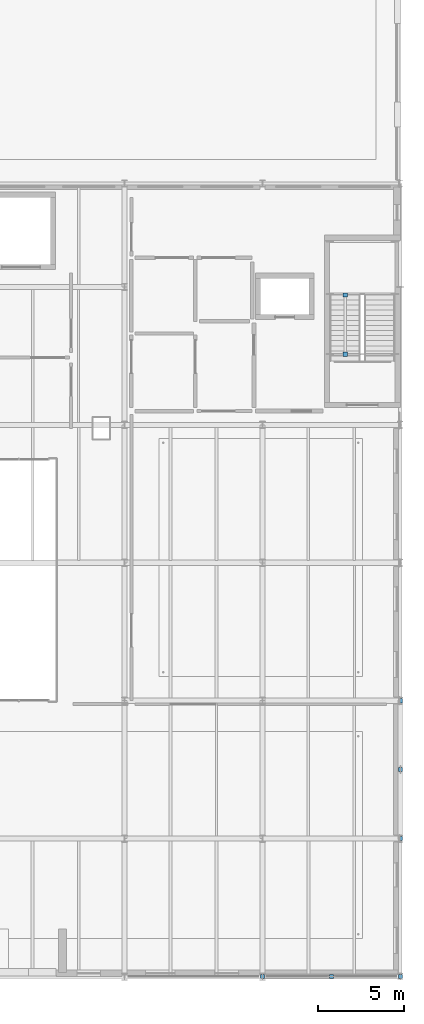
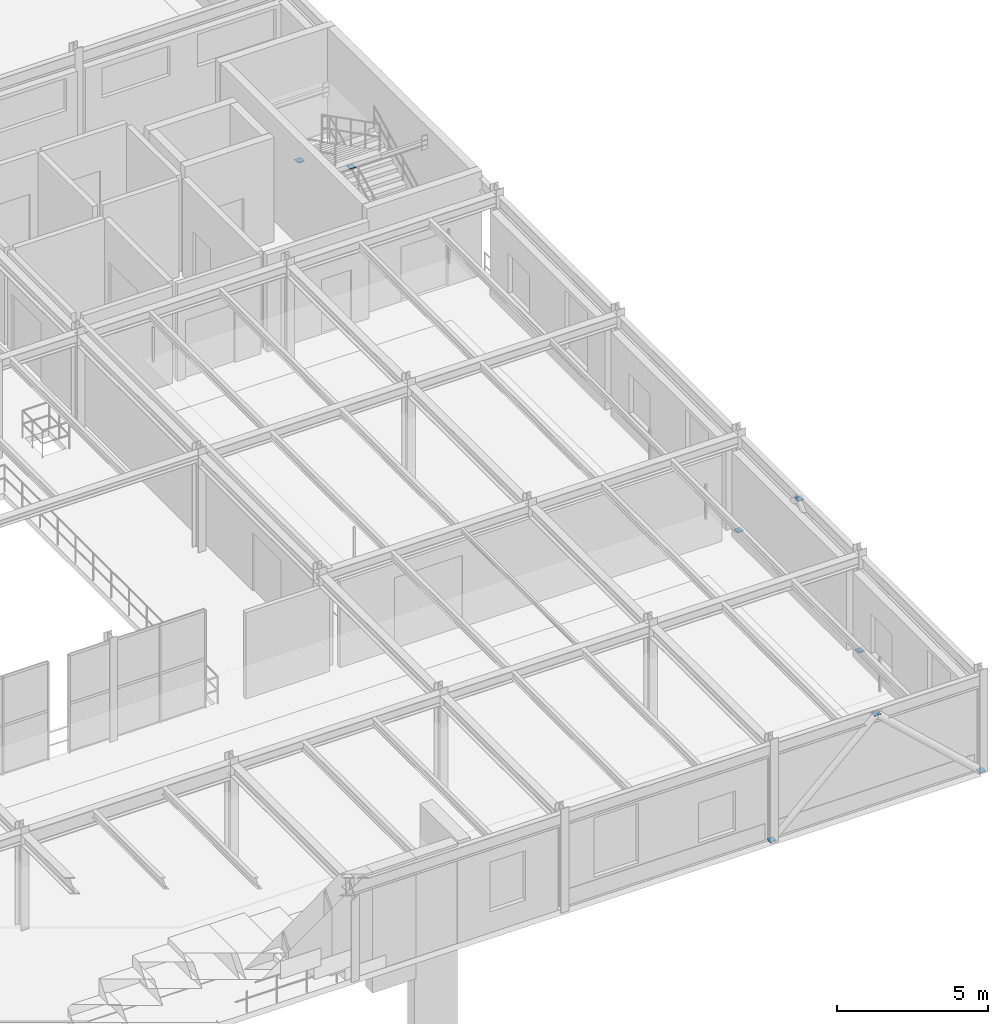
# One storey, part 57 of 67: 8 discrete accessories.
"""IFC4 building model written with IfcOpenShell, lengths in metres."""

import ifcopenshell
import ifcopenshell.guid

model = None  # the IFC model being written
_history = None  # IfcOwnerHistory: only IFC2X3 demands one
_inside = {}  # id of a spatial element -> (the spatial element, [elements in it])
_under = {}  # id of a project, library or spatial element -> (it, [spatial elements below it])
_declared = {}  # id of a project -> (the project, [libraries it declares])
_typed = {}  # id of a type object -> (the type object, [elements of that type])
_made_of = {}  # id of a material, layer set ... -> (it, [elements and type objects made of it])


def new_model(schema):
    """Start an empty IFC model of exactly this schema.

    Asked for "IFC4X3", IfcOpenShell would pick the latest addendum, in which some entities
    have other attributes; the version numbers below select the first issue.
    IFC2X3 requires an IfcOwnerHistory on every rooted entity: one is made here for all.
    """
    global model, _history
    if schema == "IFC4X3":
        model = ifcopenshell.file(schema_version=(4, 3, 0, 0))
    else:
        model = ifcopenshell.file(schema=schema)
    _inside.clear()
    _under.clear()
    _declared.clear()
    _typed.clear()
    _made_of.clear()
    _history = None
    if model.schema == "IFC2X3":
        org = make("IfcOrganization", Name="unknown")
        user = make(
            "IfcPersonAndOrganization",
            ThePerson=make("IfcPerson", FamilyName="unknown"),
            TheOrganization=org,
        )
        app = make(
            "IfcApplication",
            ApplicationDeveloper=org,
            Version="unknown",
            ApplicationFullName="unknown",
            ApplicationIdentifier="unknown",
        )
        _history = make(
            "IfcOwnerHistory",
            OwningUser=user,
            OwningApplication=app,
            ChangeAction="ADDED",
            CreationDate=0,
        )
    return model


def make(cls, **values):
    """One entity of the class cls with the attributes given. An attribute that is None is left unset."""
    return model.create_entity(
        cls, **{name: value for name, value in values.items() if value is not None}
    )


def rooted(cls, **values):
    """An entity with a GlobalId (a new one), such as an element, a storey or a relation."""
    return make(cls, GlobalId=ifcopenshell.guid.new(), OwnerHistory=_history, **values)


def si_unit(unit_type, name, prefix=None):
    """IfcSIUnit, for example si_unit("LENGTHUNIT", "METRE", prefix="MILLI")."""
    return make("IfcSIUnit", UnitType=unit_type, Prefix=prefix, Name=name)


def assignment(units):
    """IfcUnitAssignment: the units of a project."""
    return None if units is None else make("IfcUnitAssignment", Units=units)


def point(xyz):
    """IfcCartesianPoint."""
    return None if xyz is None else make("IfcCartesianPoint", Coordinates=xyz)


def direction(xyz):
    """IfcDirection."""
    return None if xyz is None else make("IfcDirection", DirectionRatios=xyz)


def frame(location, z_axis=None, x_axis=None):
    """IfcAxis2Placement3D, a coordinate frame: its origin and axes. An axis left out is left unset."""
    return make(
        "IfcAxis2Placement3D",
        Location=point(location),
        Axis=direction(z_axis),
        RefDirection=direction(x_axis),
    )


def frame_2d(location, x_axis=None):
    """IfcAxis2Placement2D, a coordinate frame in the plane: its origin and x axis."""
    return make(
        "IfcAxis2Placement2D", Location=point(location), RefDirection=direction(x_axis)
    )


def origin():
    """The frame at (0, 0, 0) with its axes left unset."""
    return frame((0.0, 0.0, 0.0))


def origin_2d():
    """The frame at (0, 0) in the plane with its x axis left unset."""
    return frame_2d((0.0, 0.0))


def place(relative_to, where):
    """IfcLocalPlacement: puts the frame where relative to a parent placement (None: the world)."""
    return make(
        "IfcLocalPlacement", PlacementRelTo=relative_to, RelativePlacement=where
    )


def context(
    kind, dimensions, precision=None, world=None, true_north=None, identifier=None
):
    """IfcGeometricRepresentationContext, for example the 3D "Model" context."""
    return make(
        "IfcGeometricRepresentationContext",
        ContextIdentifier=identifier,
        ContextType=kind,
        CoordinateSpaceDimension=dimensions,
        Precision=precision,
        WorldCoordinateSystem=world,
        TrueNorth=true_north,
    )


def subcontext(parent, identifier, kind, view, scale=None):
    """IfcGeometricRepresentationSubContext, for example "Body" below "Model"."""
    return make(
        "IfcGeometricRepresentationSubContext",
        ContextIdentifier=identifier,
        ContextType=kind,
        ParentContext=parent,
        TargetScale=scale,
        TargetView=view,
    )


def project(units=None, contexts=None):
    """IfcProject with its units and contexts."""
    return rooted(
        "IfcProject",
        Name="project",
        RepresentationContexts=contexts,
        UnitsInContext=assignment(units),
    )


def spatial(cls, under=None, at=None, **own):
    """A site, building, storey or space (cls), placed at a placement, below another one or the project."""
    s = rooted(cls, ObjectPlacement=at, **own)
    if under is not None:
        _under.setdefault(under.id(), (under, []))[1].append(s)
    return s


def profile(cls, at=None, kind="AREA", **sizes):
    """A parametric profile (cls). Its sizes go by their IFC names, for example OverallWidth=200.0."""
    return make(cls, ProfileType=kind, Position=at, **sizes)


def rectangle(**sizes):
    """IfcRectangleProfileDef."""
    return profile("IfcRectangleProfileDef", **sizes)


def extrude(swept, where, along, depth):
    """IfcExtrudedAreaSolid: the profile swept, set in the frame where, extruded along a direction by depth."""
    return make(
        "IfcExtrudedAreaSolid",
        SweptArea=swept,
        Position=where,
        ExtrudedDirection=direction(along),
        Depth=depth,
    )


def shape(context_of_items, identifier, shape_type, items):
    """IfcShapeRepresentation: the items that make up one representation, for example the "Body"."""
    return make(
        "IfcShapeRepresentation",
        ContextOfItems=context_of_items,
        RepresentationIdentifier=identifier,
        RepresentationType=shape_type,
        Items=items,
    )


def material(Name=None, Category=None):
    """IfcMaterial."""
    return make("IfcMaterial", Name=Name, Category=Category)


def made_of(thing, what):
    """Note that an element or type object is made of a material, layer set ...; save() writes the relation."""
    if what is not None:
        _made_of.setdefault(what.id(), (what, []))[1].append(thing)
    return thing


def type_object(cls, material=None, **own):
    """A type object (cls), such as IfcWallType, which elements share."""
    return made_of(rooted(cls, **own), material)


def element(
    cls,
    number,
    at=None,
    inside=None,
    cuts=None,
    type_object=None,
    material=None,
    context=None,
    identifier="Body",
    shape_type=None,
    held_by="IfcProductDefinitionShape",
    body=None,
    shapes=None,
    **own,
):
    """One element of the class cls, such as IfcWall. Its Tag is "e" and its number.

    at: its placement. inside: the storey or other place that contains it. cuts: it is an
    opening in that element (IfcRelVoidsElement). A single representation is given by context,
    identifier, shape_type and body (its items); several are given by shapes. held_by: the class
    of the entity that holds the representations. save() writes the other relations.
    """
    e = rooted(cls, Tag="e%d" % number, ObjectPlacement=at, **own)
    if body is not None:
        shapes = [shape(context, identifier, shape_type, body)]
    if shapes is not None:
        e.Representation = make(held_by, Representations=shapes)
    if inside is not None:
        _inside.setdefault(inside.id(), (inside, []))[1].append(e)
    if cuts is not None:
        rooted(
            "IfcRelVoidsElement", RelatingBuildingElement=cuts, RelatedOpeningElement=e
        )
    if type_object is not None:
        _typed.setdefault(type_object.id(), (type_object, []))[1].append(e)
    return made_of(e, material)


def aggregate(whole, parts):
    """IfcRelAggregates: a whole, such as a stair, and the parts it consists of."""
    return rooted("IfcRelAggregates", RelatingObject=whole, RelatedObjects=parts)


def save(model, path):
    """Write the relations noted so far, then the file.

    IfcRelAggregates (storeys below a building ...), IfcRelContainedInSpatialStructure (elements
    in a storey), IfcRelDefinesByType, IfcRelAssociatesMaterial and IfcRelDeclares: one each for
    every whole, place, type object, material and project.
    """
    for whole, parts in _under.values():
        aggregate(whole, parts)
    for where, things in _inside.values():
        rooted(
            "IfcRelContainedInSpatialStructure",
            RelatedElements=things,
            RelatingStructure=where,
        )
    for kind, things in _typed.values():
        rooted("IfcRelDefinesByType", RelatedObjects=things, RelatingType=kind)
    for what, things in _made_of.values():
        rooted("IfcRelAssociatesMaterial", RelatedObjects=things, RelatingMaterial=what)
    for by, libraries in _declared.values():
        rooted("IfcRelDeclares", RelatingContext=by, RelatedDefinitions=libraries)
    model.write(path)


model = new_model("IFC4")

# Units and contexts
model_context = context("Model", 3, precision=1e-05, world=origin(), true_north=direction((0.0, 1.0)))
body_context = subcontext(model_context, "Body", "Model", "MODEL_VIEW")
ifc_project = project(units=[si_unit("LENGTHUNIT", "METRE"), si_unit("AREAUNIT", "SQUARE_METRE"), si_unit("VOLUMEUNIT", "CUBIC_METRE"), si_unit("PLANEANGLEUNIT", "RADIAN"), si_unit("MASSUNIT", "GRAM", prefix="KILO")], contexts=[model_context])

# Site, building, storey
site_placement = place(None, origin())
site = spatial("IfcSite", under=ifc_project, at=site_placement, CompositionType="ELEMENT")
building_placement = place(site_placement, origin())
building = spatial("IfcBuilding", under=site, at=building_placement, Name="Sundkrona Museum", CompositionType="ELEMENT")
storey_placement = place(building_placement, frame((0.0, 0.0, 21.800048828125)))
storey = spatial("IfcBuildingStorey", under=building, at=storey_placement, Name="L04", CompositionType="ELEMENT", Elevation=21.800048828125)

# Discrete accessories
ifc_material = material(Name="Stainless Steel EN 1.4404 Cleat", Category="steel")
discrete_accessory_type = type_object("IfcDiscreteAccessoryType", Name="BRK-FIN-01", PredefinedType="BRACKET", material=ifc_material)
for number, where, z_axis, x_axis, name in (
    (1, (160.0, 0.0, -0.012451171875), (0.0, 0.0, 1.0), (1.0, 0.0, 0.0), "Brace and Strut End Connection Plate BR-L04-006A-1"),
    (2, (164.0, 0.0, 3.6875), (0.0, 0.0, 1.0), (1.0, 0.0, 0.0), "Brace and Strut End Connection Plate BR-L04-006A-2"),
    (3, (168.0, 0.0, -0.012451171875), (0.0, 0.0, 1.0), (1.0, 0.0, 0.0), "Brace and Strut End Connection Plate BR-L04-006B-1"),
    (4, (168.0, 8.0, -0.012451171875), (0.0, 0.0, 1.0), (1.0, 0.0, 0.0), "Brace and Strut End Connection Plate BR-L04-012A-1"),
    (5, (168.0, 12.0, 3.6875), (0.0, 0.0, 1.0), (1.0, 0.0, 0.0), "Brace and Strut End Connection Plate BR-L04-012A-2"),
    (6, (168.0, 16.0, -0.012451171875), (0.0, 0.0, 1.0), (1.0, 0.0, 0.0), "Brace and Strut End Connection Plate BR-L04-012B-1"),
    (7, (164.800048828125, 39.534912109375, 1.767578125), (0.0, 0.0, 1.0), (1.0, 0.0, 0.0), "Brace and Strut End Connection Plate RK-ST-ST-1-L04-2-1"),
    (8, (164.800048828125, 36.10009765625, 3.60107421875), (0.0, 0.0, 1.0), (1.0, 0.0, 0.0), "Brace and Strut End Connection Plate RK-ST-ST-1-L04-2-2"),
):
    element("IfcDiscreteAccessory", number, at=place(storey_placement, frame(where, z_axis=z_axis, x_axis=x_axis)), inside=storey, type_object=discrete_accessory_type, Name=name, PredefinedType="BRACKET", context=body_context, shape_type="SweptSolid", body=[
        extrude(rectangle(XDim=0.239990234375, YDim=0.239990234375, at=origin_2d()), origin(), (0.0, 0.0, 1.0), 0.02490234375),
    ])

save(model, "model.ifc")
